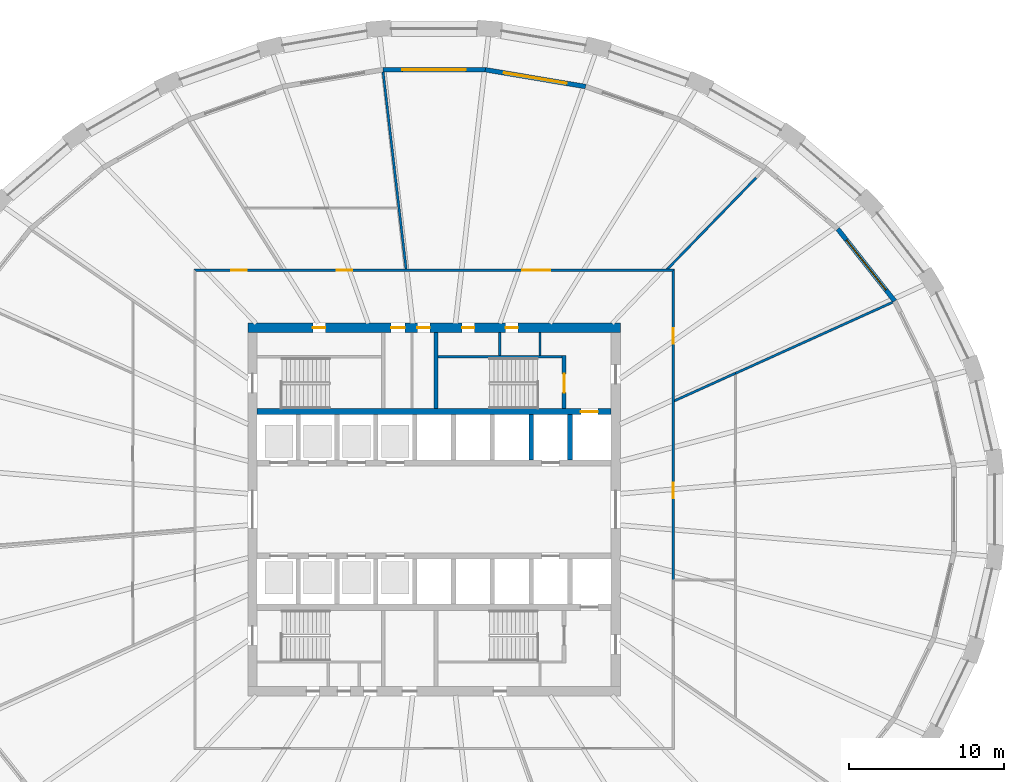
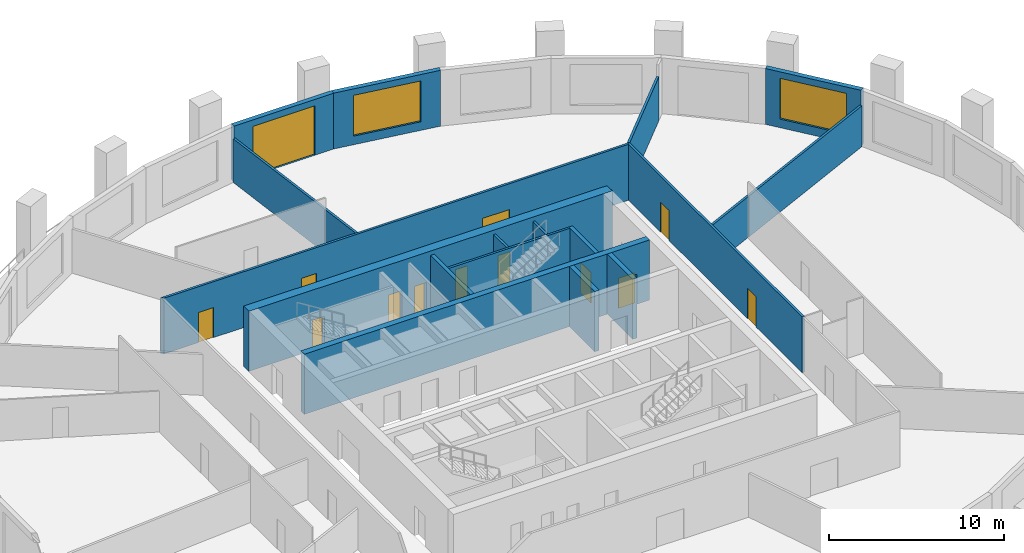
# One storey, part 6 of 10: 18 walls, 13 doors, 2 windows, 15 openings.
"""IFC4 building model written with IfcOpenShell, lengths in metres."""

from ifc_helpers import new_model, si_unit, direction, frame, frame_2d, origin, place, context, subcontext, project, spatial, polyline, rectangle, outline, extrude, material, layer, layer_set, type_object, element, fill, save


model = new_model("IFC4")

# Units and contexts
model_context = context("Model", 3, precision=1e-05, world=origin(), true_north=direction((0.0, 1.0)))
body_context = subcontext(model_context, "Body", "Model", "MODEL_VIEW")
ifc_project = project(units=[si_unit("LENGTHUNIT", "METRE"), si_unit("AREAUNIT", "SQUARE_METRE"), si_unit("VOLUMEUNIT", "CUBIC_METRE"), si_unit("PLANEANGLEUNIT", "RADIAN"), si_unit("MASSUNIT", "GRAM", prefix="KILO")], contexts=[model_context])

# Site, building, storey
site_placement = place(None, origin())
site = spatial("IfcSite", under=ifc_project, at=site_placement, CompositionType="ELEMENT")
building_placement = place(site_placement, origin())
building = spatial("IfcBuilding", under=site, at=building_placement, Name="Halqa Exchange Tower", CompositionType="ELEMENT")
storey_placement = place(building_placement, frame((0.0, 0.0, 90.699951171875)))
storey = spatial("IfcBuildingStorey", under=building, at=storey_placement, Name="L20", CompositionType="ELEMENT", Elevation=90.699951171875)

# Wall, openings, doors
ifc_material_1 = material(Name="Fire-rated gypsum board")
ifc_layer_1 = layer(ifc_material_1, 0.14990234375)
ifc_layer_set_1 = layer_set([ifc_layer_1], Name="Fire-rated gypsum board")
wall_type_1 = type_object("IfcWallType", Name="Fire partition EI 60 150", PredefinedType="PARTITIONING", material=ifc_layer_set_1)
wall_1_placement = place(storey_placement, frame((-15.47509765625, 15.39990234375, 0.0), z_axis=(0.0, 0.0, 1.0), x_axis=(1.0, 0.0, 0.0)))
wall_1 = element("IfcWall", 1, at=wall_1_placement, inside=storey, type_object=wall_type_1, Name="L20-PWL-011", PredefinedType="PARTITIONING", context=body_context, shape_type="SweptSolid", body=[
    extrude(outline(polyline([(0.150146484375, -0.074951171875), (2.065673828125, -0.074951171875), (3.9814453125, -0.074951171875), (5.89697265625, -0.074951171875), (7.8125, -0.074951171875), (9.728271484375, -0.074951171875), (11.643798828125, -0.074951171875), (13.5595703125, -0.074951171875), (15.47509765625, -0.074951171875), (17.390625, -0.074951171875), (19.306396484375, -0.074951171875), (21.221923828125, -0.074951171875), (23.1376953125, -0.074951171875), (25.05322265625, -0.074951171875), (26.96875, -0.074951171875), (28.884521484375, -0.074951171875), (30.800048828125, -0.074951171875), (30.949951171875, 0.074951171875), (29.015625, 0.074951171875), (27.081298828125, 0.074951171875), (25.14697265625, 0.074951171875), (23.21240234375, 0.074951171875), (21.278076171875, 0.074951171875), (19.34375, 0.074951171875), (17.409423828125, 0.074951171875), (15.47509765625, 0.074951171875), (13.540771484375, 0.074951171875), (11.6064453125, 0.074951171875), (9.672119140625, 0.074951171875), (7.73779296875, 0.074951171875), (5.80322265625, 0.074951171875), (3.868896484375, 0.074951171875), (1.9345703125, 0.074951171875), (0.000244140625, 0.074951171875), (0.150146484375, -0.074951171875)])), origin(), (0.0, 0.0, 1.0), 3.900146484375),
])
opening_1_placement = place(wall_1_placement, frame((21.155029296875, 0.0, 0.0)))
opening_1 = element("IfcOpeningElement", 2, at=opening_1_placement, cuts=wall_1, Name="Opening 06-04", PredefinedType="OPENING", context=body_context, shape_type="SweptSolid", body=[
    extrude(rectangle(XDim=1.800048828125, YDim=2.10009765625, at=frame_2d((0.89990234375, 1.050048828125))), frame((0.0, 0.0869140625, 0.0), z_axis=(0.0, -1.0, 0.0), x_axis=(1.0, 0.0, 0.0)), (0.0, 0.0, 1.0), 0.173828125),
])
opening_2_placement = place(wall_1_placement, frame((9.2099609375, 0.0, 0.0)))
opening_2 = element("IfcOpeningElement", 3, at=opening_2_placement, cuts=wall_1, Name="Opening 06-05", PredefinedType="OPENING", context=body_context, shape_type="SweptSolid", body=[
    extrude(rectangle(XDim=1.0, YDim=2.10009765625, at=frame_2d((0.5, 1.050048828125))), frame((0.0, 0.0869140625, 0.0), z_axis=(0.0, -1.0, 0.0), x_axis=(1.0, 0.0, 0.0)), (0.0, 0.0, 1.0), 0.173828125),
])
opening_3_placement = place(wall_1_placement, frame((2.405029296875, 0.0, 0.0)))
opening_3 = element("IfcOpeningElement", 4, at=opening_3_placement, cuts=wall_1, Name="Opening 06-06", PredefinedType="OPENING", context=body_context, shape_type="SweptSolid", body=[
    extrude(rectangle(XDim=1.0, YDim=2.10009765625, at=frame_2d((0.5, 1.050048828125))), frame((0.0, 0.0869140625, 0.0), z_axis=(0.0, -1.0, 0.0), x_axis=(1.0, 0.0, 0.0)), (0.0, 0.0, 1.0), 0.173828125),
])
ifc_material_2 = material(Name="Steel fire door leaf", Category="steel")
door_type_1 = type_object("IfcDoorType", Name="Fire door FD30S 1000 x 2100", OperationType="SINGLE_SWING_LEFT", PredefinedType="DOOR", material=ifc_material_2)
door_1_placement = place(opening_2_placement, origin())
door_1 = element("IfcDoor", 5, at=door_1_placement, inside=storey, type_object=door_type_1, Name="L20-IDR-005", OperationType="SINGLE_SWING_LEFT", OverallHeight=2.10009765625, OverallWidth=1.0, PredefinedType="DOOR", context=body_context, shape_type="SweptSolid", body=[
    extrude(rectangle(XDim=1.0, YDim=2.10009765625, at=frame_2d((0.5, 1.050048828125))), frame((0.0, 0.02490234375, 0.0), z_axis=(0.0, -1.0, 0.0), x_axis=(1.0, 0.0, 0.0)), (0.0, 0.0, 1.0), 0.050048828125),
])
fill(opening_2, door_1)
door_2_placement = place(opening_3_placement, origin())
door_2 = element("IfcDoor", 6, at=door_2_placement, inside=storey, type_object=door_type_1, Name="L20-IDR-006", OperationType="SINGLE_SWING_LEFT", OverallHeight=2.10009765625, OverallWidth=1.0, PredefinedType="DOOR", context=body_context, shape_type="SweptSolid", body=[
    extrude(rectangle(XDim=1.0, YDim=2.10009765625, at=frame_2d((0.5, 1.050048828125))), frame((0.0, 0.02490234375, 0.0), z_axis=(0.0, -1.0, 0.0), x_axis=(1.0, 0.0, 0.0)), (0.0, 0.0, 1.0), 0.050048828125),
])
fill(opening_3, door_2)
door_type_2 = type_object("IfcDoorType", Name="Fire door FD30S double 1800 x 2100", OperationType="DOUBLE_DOOR_SINGLE_SWING", PredefinedType="DOOR", material=ifc_material_2)
door_3_placement = place(opening_1_placement, origin())
door_3 = element("IfcDoor", 7, at=door_3_placement, inside=storey, type_object=door_type_2, Name="L20-IDR-004", OperationType="DOUBLE_DOOR_SINGLE_SWING", OverallHeight=2.10009765625, OverallWidth=1.800048828125, PredefinedType="DOOR", context=body_context, shape_type="SweptSolid", body=[
    extrude(rectangle(XDim=1.800048828125, YDim=2.10009765625, at=frame_2d((0.89990234375, 1.050048828125))), frame((0.0, 0.02490234375, 0.0), z_axis=(0.0, -1.0, 0.0), x_axis=(1.0, 0.0, 0.0)), (0.0, 0.0, 1.0), 0.050048828125),
])
fill(opening_1, door_3)

# Walls
wall_2_placement = place(storey_placement, frame((-3.2841796875, 28.16455078125, 0.0), z_axis=(0.0, 0.0, 1.0), x_axis=(0.116072244208, -0.993240773491, 0.0)))
element("IfcWall", 8, at=wall_2_placement, inside=storey, type_object=wall_type_1, Name="L20-PWL-013", PredefinedType="PARTITIONING", context=body_context, shape_type="SweptSolid", body=[
    extrude(outline(polyline([(0.0, -0.074951171875), (1.7529296875, -0.074951171875), (3.506103515625, -0.074951171875), (5.259033203125, -0.074951171875), (7.011962890625, -0.074951171875), (8.76513671875, -0.074951171875), (8.766357421875, -0.063720703125), (8.86181640625, -0.074951171875), (10.814453125, -0.074951171875), (12.76708984375, -0.074951171875), (12.7841796875, 0.07080078125), (12.7841796875, 0.074951171875), (10.95849609375, 0.074951171875), (9.1328125, 0.074951171875), (7.30712890625, 0.074951171875), (5.4814453125, 0.074951171875), (3.65576171875, 0.074951171875), (1.830078125, 0.074951171875), (0.00439453125, 0.074951171875), (0.0, 0.038330078125), (0.0, -0.074951171875)])), origin(), (0.0, 0.0, 1.0), 3.050048828125),
])
wall_3_placement = place(storey_placement, frame((14.972412109375, 15.423095703125, 0.0), z_axis=(0.0, 0.0, 1.0), x_axis=(0.696854208529, 0.717212808067, 0.0)))
element("IfcWall", 9, at=wall_3_placement, inside=storey, type_object=wall_type_1, Name="L20-PWL-015", PredefinedType="PARTITIONING", context=body_context, shape_type="SweptSolid", body=[
    extrude(outline(polyline([(0.0, 0.074951171875), (0.0, 0.074462890625), (0.145263671875, -0.074951171875), (1.77099609375, -0.074951171875), (3.39697265625, -0.074951171875), (5.022705078125, -0.074951171875), (6.648681640625, -0.074951171875), (8.2744140625, -0.074951171875), (8.2744140625, 0.074951171875), (6.61962890625, 0.074951171875), (4.964599609375, 0.074951171875), (3.309814453125, 0.074951171875), (1.65478515625, 0.074951171875), (0.0, 0.074951171875)])), origin(), (0.0, 0.0, 1.0), 3.080078125),
])

# Wall, openings, doors
wall_4_placement = place(storey_placement, frame((15.39990234375, -4.5400390625, 0.0), z_axis=(0.0, 0.0, 1.0), x_axis=(0.0, 1.0, 0.0)))
wall_4 = element("IfcWall", 10, at=wall_4_placement, inside=storey, type_object=wall_type_1, Name="L20-PWL-019", PredefinedType="PARTITIONING", context=body_context, shape_type="SweptSolid", body=[
    extrude(outline(polyline([(0.0, -0.074951171875), (1.819580078125, -0.074951171875), (3.63916015625, -0.074951171875), (5.45849609375, -0.074951171875), (7.278076171875, -0.074951171875), (9.09765625, -0.074951171875), (10.917236328125, -0.074951171875), (12.73681640625, -0.074951171875), (14.556396484375, -0.074951171875), (16.375732421875, -0.074951171875), (18.1953125, -0.074951171875), (20.014892578125, -0.074951171875), (19.864990234375, 0.074951171875), (17.87841796875, 0.074951171875), (15.89208984375, 0.074951171875), (13.905517578125, 0.074951171875), (11.9189453125, 0.074951171875), (9.9326171875, 0.074951171875), (7.946044921875, 0.074951171875), (5.95947265625, 0.074951171875), (3.972900390625, 0.074951171875), (1.986572265625, 0.074951171875), (0.0, 0.074951171875), (0.0, -0.074951171875)])), origin(), (0.0, 0.0, 1.0), 3.900146484375),
])
opening_4_placement = place(wall_4_placement, frame((5.25, 0.0, 0.0)))
opening_4 = element("IfcOpeningElement", 11, at=opening_4_placement, cuts=wall_4, Name="Opening 06-02", PredefinedType="OPENING", context=body_context, shape_type="SweptSolid", body=[
    extrude(rectangle(XDim=1.0, YDim=2.10009765625, at=frame_2d((0.5, 1.050048828125))), frame((0.0, 0.0869140625, 0.0), z_axis=(0.0, -1.0, 0.0), x_axis=(1.0, 0.0, 0.0)), (0.0, 0.0, 1.0), 0.173828125),
])
opening_5_placement = place(wall_4_placement, frame((15.219970703125, 0.0, 0.0)))
opening_5 = element("IfcOpeningElement", 12, at=opening_5_placement, cuts=wall_4, Name="Opening 06-03", PredefinedType="OPENING", context=body_context, shape_type="SweptSolid", body=[
    extrude(rectangle(XDim=1.0, YDim=2.10009765625, at=frame_2d((0.5, 1.050048828125))), frame((0.0, 0.0869140625, 0.0), z_axis=(0.0, -1.0, 0.0), x_axis=(1.0, 0.0, 0.0)), (0.0, 0.0, 1.0), 0.173828125),
])
door_4_placement = place(opening_4_placement, frame((1.0, 0.0, 0.0), z_axis=(0.0, 0.0, 1.0), x_axis=(-1.0, 0.0, 0.0)))
door_4 = element("IfcDoor", 13, at=door_4_placement, inside=storey, type_object=door_type_1, Name="L20-IDR-002", OperationType="SINGLE_SWING_LEFT", OverallHeight=2.10009765625, OverallWidth=1.0, PredefinedType="DOOR", context=body_context, shape_type="SweptSolid", body=[
    extrude(rectangle(XDim=1.0, YDim=2.10009765625, at=frame_2d((0.5, 1.050048828125))), frame((0.0, 0.02490234375, 0.0), z_axis=(0.0, -1.0, 0.0), x_axis=(1.0, 0.0, 0.0)), (0.0, 0.0, 1.0), 0.050048828125),
])
fill(opening_4, door_4)
door_5_placement = place(opening_5_placement, frame((1.0, 0.0, 0.0), z_axis=(0.0, 0.0, 1.0), x_axis=(-1.0, 0.0, 0.0)))
door_5 = element("IfcDoor", 14, at=door_5_placement, inside=storey, type_object=door_type_1, Name="L20-IDR-003", OperationType="SINGLE_SWING_LEFT", OverallHeight=2.10009765625, OverallWidth=1.0, PredefinedType="DOOR", context=body_context, shape_type="SweptSolid", body=[
    extrude(rectangle(XDim=1.0, YDim=2.10009765625, at=frame_2d((0.5, 1.050048828125))), frame((0.0, 0.02490234375, 0.0), z_axis=(0.0, -1.0, 0.0), x_axis=(1.0, 0.0, 0.0)), (0.0, 0.0, 1.0), 0.050048828125),
])
fill(opening_5, door_5)

# Walls
wall_5_placement = place(storey_placement, frame((15.444091796875, 6.97998046875, 0.0), z_axis=(0.0, 0.0, 1.0), x_axis=(0.911064178848, 0.412264553436, 0.0)))
element("IfcWall", 15, at=wall_5_placement, inside=storey, type_object=wall_type_1, Name="L20-PWL-021", PredefinedType="PARTITIONING", context=body_context, shape_type="SweptSolid", body=[
    extrude(outline(polyline([(0.0, -0.074951171875), (1.417724609375, -0.074951171875), (2.83544921875, -0.074951171875), (4.253173828125, -0.074951171875), (4.254150390625, -0.07275390625), (4.259033203125, -0.074951171875), (4.342041015625, -0.074951171875), (4.342041015625, 0.074951171875), (2.917236328125, 0.074951171875), (1.49267578125, 0.074951171875), (0.06787109375, 0.074951171875), (0.0, -0.074951171875)])), origin(), (0.0, 0.0, 1.0), 2.85009765625),
])
wall_6_placement = place(storey_placement, frame((19.404052734375, 8.761962890625, 0.0), z_axis=(0.0, 0.0, 1.0), x_axis=(0.911089862884, 0.41220778953, 0.0)))
element("IfcWall", 16, at=wall_6_placement, inside=storey, type_object=wall_type_1, Name="L20-PWL-023", PredefinedType="PARTITIONING", context=body_context, shape_type="SweptSolid", body=[
    extrude(outline(polyline([(11.12060546875, -0.074951171875), (11.12060546875, -0.0673828125), (11.11865234375, -0.00244140625), (11.099365234375, 0.074951171875), (9.24951171875, 0.074951171875), (7.399658203125, 0.074951171875), (5.549560546875, 0.074951171875), (3.69970703125, 0.074951171875), (1.849853515625, 0.074951171875), (0.0, 0.074951171875), (0.0, -0.068115234375), (0.015380859375, -0.074951171875), (1.8662109375, -0.074951171875), (3.717041015625, -0.074951171875), (5.56787109375, -0.074951171875), (7.4189453125, -0.074951171875), (9.269775390625, -0.074951171875), (11.12060546875, -0.074951171875)])), origin(), (0.0, 0.0, 1.0), 2.85009765625),
])
ifc_material_3 = material(Name="Gypsum board")
ifc_layer_2 = layer(ifc_material_3, 0.14990234375)
ifc_layer_set_2 = layer_set([ifc_layer_2], Name="Gypsum board")
wall_type_2 = type_object("IfcWallType", Name="Penthouse riser wall 150 gypsum", PredefinedType="PARTITIONING", material=ifc_layer_set_2)
for number, where, z_axis, x_axis, name in (
    (17, (4.22509765625, 9.89990234375, 0.0), (0.0, 0.0, 1.0), (0.0, 1.0, 0.0), "Partition E4.225 N"),
    (18, (6.824951171875, 9.89990234375, 0.0), (0.0, 0.0, 1.0), (0.0, 1.0, 0.0), "Firefighting lobby west wall N"),
):
    element("IfcWall", number, at=place(storey_placement, frame(where, z_axis=z_axis, x_axis=x_axis)), inside=storey, type_object=wall_type_2, Name=name, PredefinedType="PARTITIONING", context=body_context, shape_type="SweptSolid", body=[
        extrude(rectangle(XDim=1.5, YDim=0.14990234375, at=frame_2d((0.75, 0.0))), origin(), (0.0, 0.0, 1.0), 3.900146484375),
    ])
ifc_material_4 = material(Name="Concrete C60/75", Category="concrete")
ifc_layer_3 = layer(ifc_material_4, 0.300048828125)
ifc_layer_set_3 = layer_set([ifc_layer_3], Name="Concrete C60/75")
wall_type_3 = type_object("IfcWallType", Name="RC core wall 300", PredefinedType="SHEAR", material=ifc_layer_set_3)
for number, where, z_axis, x_axis, name in (
    (19, (6.25, 3.199951171875, 0.0), (0.0, 0.0, 1.0), (0.0, 1.0, 0.0), "Shaft divider N7"),
    (20, (8.75, 3.199951171875, 0.0), (0.0, 0.0, 1.0), (0.0, 1.0, 0.0), "Shaft divider N8"),
):
    element("IfcWall", number, at=place(storey_placement, frame(where, z_axis=z_axis, x_axis=x_axis)), inside=storey, type_object=wall_type_3, Name=name, PredefinedType="SHEAR", context=body_context, shape_type="SweptSolid", body=[
        extrude(rectangle(XDim=2.900146484375, YDim=0.300048828125, at=frame_2d((1.4501953125, 0.0))), origin(), (0.0, 0.0, 1.0), 4.199951171875),
    ])

# Wall, opening, door
ifc_material_5 = material(Name="Concrete C80/95", Category="concrete")
ifc_layer_4 = layer(ifc_material_5, 0.39990234375)
ifc_layer_set_4 = layer_set([ifc_layer_4], Name="Concrete C80/95")
wall_type_4 = type_object("IfcWallType", Name="RC core wall 400 C80/95", PredefinedType="SHEAR", material=ifc_layer_set_4)
wall_7_placement = place(storey_placement, frame((-11.39990234375, 6.300048828125, 0.0), z_axis=(0.0, 0.0, 1.0), x_axis=(1.0, 0.0, 0.0)))
wall_7 = element("IfcWall", 21, at=wall_7_placement, inside=storey, type_object=wall_type_4, Name="Lift row back wall N", PredefinedType="SHEAR", context=body_context, shape_type="SweptSolid", body=[
    extrude(rectangle(XDim=22.7998046875, YDim=0.39990234375, at=frame_2d((11.39990234375, 0.0))), origin(), (0.0, 0.0, 1.0), 4.199951171875),
])
opening_6_placement = place(wall_7_placement, frame((20.85009765625, 0.0, 0.0)))
opening_6 = element("IfcOpeningElement", 22, at=opening_6_placement, cuts=wall_7, Name="Opening LD-FF1-T06", PredefinedType="OPENING", context=body_context, shape_type="SweptSolid", body=[
    extrude(rectangle(XDim=1.10009765625, YDim=2.10009765625, at=frame_2d((0.550048828125, 1.050048828125))), frame((0.0, 0.2119140625, 0.0), z_axis=(0.0, -1.0, 0.0), x_axis=(1.0, 0.0, 0.0)), (0.0, 0.0, 1.0), 0.423828125),
])
ifc_material_6 = material(Name="Stainless steel", Category="steel")
door_type_3 = type_object("IfcDoorType", Name="Lift landing door 1100 x 2100", OperationType="SLIDING_TO_LEFT", PredefinedType="DOOR", material=ifc_material_6)
door_6_placement = place(opening_6_placement, origin())
door_6 = element("IfcDoor", 23, at=door_6_placement, inside=storey, type_object=door_type_3, Name="Lift landing door FF1", OperationType="SLIDING_TO_LEFT", OverallHeight=2.10009765625, OverallWidth=1.10009765625, PredefinedType="DOOR", context=body_context, shape_type="SweptSolid", body=[
    extrude(rectangle(XDim=1.10009765625, YDim=2.10009765625, at=frame_2d((0.550048828125, 1.050048828125))), frame((0.0, 0.02490234375, 0.0), z_axis=(0.0, -1.0, 0.0), x_axis=(1.0, 0.0, 0.0)), (0.0, 0.0, 1.0), 0.050048828125),
])
fill(opening_6, door_6)

# Wall, openings, doors
ifc_layer_5 = layer(ifc_material_5, 0.60009765625)
ifc_layer_set_5 = layer_set([ifc_layer_5], Name="Concrete C80/95")
wall_type_5 = type_object("IfcWallType", Name="RC core wall 600 C80/95", PredefinedType="SHEAR", material=ifc_layer_set_5)
wall_8_placement = place(storey_placement, frame((-12.0, 11.699951171875, 0.0), z_axis=(0.0, 0.0, 1.0), x_axis=(1.0, 0.0, 0.0)))
wall_8 = element("IfcWall", 24, at=wall_8_placement, inside=storey, type_object=wall_type_5, Name="Core wall north", PredefinedType="SHEAR", context=body_context, shape_type="SweptSolid", body=[
    extrude(rectangle(XDim=24.0, YDim=0.60009765625, at=frame_2d((12.0, 0.0))), origin(), (0.0, 0.0, 1.0), 4.199951171875),
])
opening_7_placement = place(wall_8_placement, frame((9.22509765625, 0.0, 0.0)))
opening_7 = element("IfcOpeningElement", 25, at=opening_7_placement, cuts=wall_8, Name="Opening T06-C21", PredefinedType="OPENING", context=body_context, shape_type="SweptSolid", body=[
    extrude(rectangle(XDim=0.89990234375, YDim=2.10009765625, at=frame_2d((0.449951171875, 1.050048828125))), frame((0.0, 0.31201171875, 0.0), z_axis=(0.0, -1.0, 0.0), x_axis=(1.0, 0.0, 0.0)), (0.0, 0.0, 1.0), 0.6240234375),
])
opening_8_placement = place(wall_8_placement, frame((10.925048828125, 0.0, 0.0)))
opening_8 = element("IfcOpeningElement", 26, at=opening_8_placement, cuts=wall_8, Name="Opening T06-C22", PredefinedType="OPENING", context=body_context, shape_type="SweptSolid", body=[
    extrude(rectangle(XDim=0.800048828125, YDim=2.10009765625, at=frame_2d((0.39990234375, 1.050048828125))), frame((0.0, 0.31201171875, 0.0), z_axis=(0.0, -1.0, 0.0), x_axis=(1.0, 0.0, 0.0)), (0.0, 0.0, 1.0), 0.6240234375),
])
opening_9_placement = place(wall_8_placement, frame((4.199951171875, 0.0, 0.0)))
opening_9 = element("IfcOpeningElement", 27, at=opening_9_placement, cuts=wall_8, Name="Opening T06-C23", PredefinedType="OPENING", context=body_context, shape_type="SweptSolid", body=[
    extrude(rectangle(XDim=0.800048828125, YDim=2.10009765625, at=frame_2d((0.39990234375, 1.050048828125))), frame((0.0, 0.31201171875, 0.0), z_axis=(0.0, -1.0, 0.0), x_axis=(1.0, 0.0, 0.0)), (0.0, 0.0, 1.0), 0.6240234375),
])
opening_10_placement = place(wall_8_placement, frame((13.800048828125, 0.0, 0.0)))
opening_10 = element("IfcOpeningElement", 28, at=opening_10_placement, cuts=wall_8, Name="Opening T06-C24", PredefinedType="OPENING", context=body_context, shape_type="SweptSolid", body=[
    extrude(rectangle(XDim=0.800048828125, YDim=2.10009765625, at=frame_2d((0.39990234375, 1.050048828125))), frame((0.0, 0.31201171875, 0.0), z_axis=(0.0, -1.0, 0.0), x_axis=(1.0, 0.0, 0.0)), (0.0, 0.0, 1.0), 0.6240234375),
])
opening_11_placement = place(wall_8_placement, frame((16.60009765625, 0.0, 0.0)))
opening_11 = element("IfcOpeningElement", 29, at=opening_11_placement, cuts=wall_8, Name="Opening T06-C25", PredefinedType="OPENING", context=body_context, shape_type="SweptSolid", body=[
    extrude(rectangle(XDim=0.800048828125, YDim=2.10009765625, at=frame_2d((0.39990234375, 1.050048828125))), frame((0.0, 0.31201171875, 0.0), z_axis=(0.0, -1.0, 0.0), x_axis=(1.0, 0.0, 0.0)), (0.0, 0.0, 1.0), 0.6240234375),
])
ifc_material_7 = material(Name="Timber fire door leaf", Category="wood")
door_type_4 = type_object("IfcDoorType", Name="Core room door FD30 900 x 2100", OperationType="SINGLE_SWING_LEFT", PredefinedType="DOOR", material=ifc_material_7)
door_7_placement = place(opening_7_placement, frame((0.89990234375, 0.0, 0.0), z_axis=(0.0, 0.0, 1.0), x_axis=(-1.0, 0.0, 0.0)))
door_7 = element("IfcDoor", 30, at=door_7_placement, inside=storey, type_object=door_type_4, Name="Core room door", OperationType="SINGLE_SWING_LEFT", OverallHeight=2.10009765625, OverallWidth=0.89990234375, PredefinedType="DOOR", context=body_context, shape_type="SweptSolid", body=[
    extrude(rectangle(XDim=0.89990234375, YDim=2.10009765625, at=frame_2d((0.449951171875, 1.050048828125))), frame((0.0, 0.02490234375, 0.0), z_axis=(0.0, -1.0, 0.0), x_axis=(1.0, 0.0, 0.0)), (0.0, 0.0, 1.0), 0.050048828125),
])
fill(opening_7, door_7)
door_type_5 = type_object("IfcDoorType", Name="Riser door FD60 800 x 2100", OperationType="SINGLE_SWING_LEFT", PredefinedType="DOOR", material=ifc_material_2)
door_8_placement = place(opening_8_placement, frame((0.800048828125, 0.0, 0.0), z_axis=(0.0, 0.0, 1.0), x_axis=(-1.0, 0.0, 0.0)))
door_8 = element("IfcDoor", 31, at=door_8_placement, inside=storey, type_object=door_type_5, Name="Core room door", OperationType="SINGLE_SWING_LEFT", OverallHeight=2.10009765625, OverallWidth=0.800048828125, PredefinedType="DOOR", context=body_context, shape_type="SweptSolid", body=[
    extrude(rectangle(XDim=0.800048828125, YDim=2.10009765625, at=frame_2d((0.39990234375, 1.050048828125))), frame((0.0, 0.02490234375, 0.0), z_axis=(0.0, -1.0, 0.0), x_axis=(1.0, 0.0, 0.0)), (0.0, 0.0, 1.0), 0.050048828125),
])
fill(opening_8, door_8)
door_9_placement = place(opening_9_placement, frame((0.800048828125, 0.0, 0.0), z_axis=(0.0, 0.0, 1.0), x_axis=(-1.0, 0.0, 0.0)))
door_9 = element("IfcDoor", 32, at=door_9_placement, inside=storey, type_object=door_type_5, Name="Core room door", OperationType="SINGLE_SWING_LEFT", OverallHeight=2.10009765625, OverallWidth=0.800048828125, PredefinedType="DOOR", context=body_context, shape_type="SweptSolid", body=[
    extrude(rectangle(XDim=0.800048828125, YDim=2.10009765625, at=frame_2d((0.39990234375, 1.050048828125))), frame((0.0, 0.02490234375, 0.0), z_axis=(0.0, -1.0, 0.0), x_axis=(1.0, 0.0, 0.0)), (0.0, 0.0, 1.0), 0.050048828125),
])
fill(opening_9, door_9)
door_10_placement = place(opening_10_placement, frame((0.800048828125, 0.0, 0.0), z_axis=(0.0, 0.0, 1.0), x_axis=(-1.0, 0.0, 0.0)))
door_10 = element("IfcDoor", 33, at=door_10_placement, inside=storey, type_object=door_type_5, Name="Core room door", OperationType="SINGLE_SWING_RIGHT", OverallHeight=2.10009765625, OverallWidth=0.800048828125, PredefinedType="DOOR", context=body_context, shape_type="SweptSolid", body=[
    extrude(rectangle(XDim=0.800048828125, YDim=2.10009765625, at=frame_2d((0.39990234375, 1.050048828125))), frame((0.0, 0.02490234375, 0.0), z_axis=(0.0, -1.0, 0.0), x_axis=(1.0, 0.0, 0.0)), (0.0, 0.0, 1.0), 0.050048828125),
])
fill(opening_10, door_10)
door_11_placement = place(opening_11_placement, frame((0.800048828125, 0.0, 0.0), z_axis=(0.0, 0.0, 1.0), x_axis=(-1.0, 0.0, 0.0)))
door_11 = element("IfcDoor", 34, at=door_11_placement, inside=storey, type_object=door_type_5, Name="Core room door", OperationType="SINGLE_SWING_LEFT", OverallHeight=2.10009765625, OverallWidth=0.800048828125, PredefinedType="DOOR", context=body_context, shape_type="SweptSolid", body=[
    extrude(rectangle(XDim=0.800048828125, YDim=2.10009765625, at=frame_2d((0.39990234375, 1.050048828125))), frame((0.0, 0.02490234375, 0.0), z_axis=(0.0, -1.0, 0.0), x_axis=(1.0, 0.0, 0.0)), (0.0, 0.0, 1.0), 0.050048828125),
])
fill(opening_11, door_11)

# Walls
ifc_material_8 = material(Name="Concrete C30/37", Category="concrete")
ifc_layer_6 = layer(ifc_material_8, 0.14990234375)
ifc_layer_set_6 = layer_set([ifc_layer_6], Name="Concrete C30/37")
wall_type_6 = type_object("IfcWallType", Name="RC stair wall 150 C30/37", PredefinedType="SHEAR", material=ifc_layer_set_6)
wall_9_placement = place(storey_placement, frame((0.25, 9.824951171875, 0.0), z_axis=(0.0, 0.0, 1.0), x_axis=(1.0, 0.0, 0.0)))
element("IfcWall", 35, at=wall_9_placement, inside=storey, type_object=wall_type_6, Name="Stair ST2 north wall N", PredefinedType="SHEAR", context=body_context, shape_type="SweptSolid", body=[
    extrude(rectangle(XDim=8.0, YDim=0.14990234375, at=frame_2d((4.0, 0.0))), origin(), (0.0, 0.0, 1.0), 3.900146484375),
])
ifc_layer_7 = layer(ifc_material_8, 0.25)
ifc_layer_set_7 = layer_set([ifc_layer_7], Name="Concrete C30/37")
wall_type_7 = type_object("IfcWallType", Name="RC stair wall 250 C30/37", PredefinedType="SHEAR", material=ifc_layer_set_7)
wall_10_placement = place(storey_placement, frame((0.125, 6.5, 0.0), z_axis=(0.0, 0.0, 1.0), x_axis=(0.0, 1.0, 0.0)))
element("IfcWall", 36, at=wall_10_placement, inside=storey, type_object=wall_type_7, Name="Stair ST2 west wall N", PredefinedType="SHEAR", context=body_context, shape_type="SweptSolid", body=[
    extrude(rectangle(XDim=4.89990234375, YDim=0.25, at=frame_2d((2.449951171875, 0.0))), origin(), (0.0, 0.0, 1.0), 3.900146484375),
])

# Wall, opening, door
wall_11_placement = place(storey_placement, frame((8.375, 6.5, 0.0), z_axis=(0.0, 0.0, 1.0), x_axis=(0.0, 1.0, 0.0)))
wall_11 = element("IfcWall", 37, at=wall_11_placement, inside=storey, type_object=wall_type_7, Name="Stair ST2 east wall N", PredefinedType="SHEAR", context=body_context, shape_type="SweptSolid", body=[
    extrude(rectangle(XDim=3.39990234375, YDim=0.25, at=frame_2d((1.699951171875, 0.0))), origin(), (0.0, 0.0, 1.0), 3.900146484375),
])
opening_12_placement = place(wall_11_placement, frame((1.02490234375, 0.0, 0.0)))
opening_12 = element("IfcOpeningElement", 38, at=opening_12_placement, cuts=wall_11, Name="Opening T06-C16", PredefinedType="OPENING", context=body_context, shape_type="SweptSolid", body=[
    extrude(rectangle(XDim=1.199951171875, YDim=2.10009765625, at=frame_2d((0.60009765625, 1.050048828125))), frame((0.0, 0.136962890625, 0.0), z_axis=(0.0, -1.0, 0.0), x_axis=(1.0, 0.0, 0.0)), (0.0, 0.0, 1.0), 0.27392578125),
])
door_type_6 = type_object("IfcDoorType", Name="Stair door FD90 1200 x 2100", OperationType="SINGLE_SWING_LEFT", PredefinedType="DOOR", material=ifc_material_2)
door_12_placement = place(opening_12_placement, origin())
door_12 = element("IfcDoor", 39, at=door_12_placement, inside=storey, type_object=door_type_6, Name="Stair door ST2", OperationType="SINGLE_SWING_RIGHT", OverallHeight=2.10009765625, OverallWidth=1.199951171875, PredefinedType="DOOR", context=body_context, shape_type="SweptSolid", body=[
    extrude(rectangle(XDim=1.199951171875, YDim=2.10009765625, at=frame_2d((0.60009765625, 1.050048828125))), frame((0.0, 0.02490234375, 0.0), z_axis=(0.0, -1.0, 0.0), x_axis=(1.0, 0.0, 0.0)), (0.0, 0.0, 1.0), 0.050048828125),
])
fill(opening_12, door_12)

# Wall, opening, window
ifc_material_9 = material(Name="Limestone cladding", Category="masonry")
ifc_layer_8 = layer(ifc_material_9, 0.0400390625)
ifc_material_10 = material(Name="Ventilated cavity")
ifc_layer_9 = layer(ifc_material_10, 0.030029296875, ventilated=True)
ifc_material_11 = material(Name="Mineral wool insulation")
ifc_layer_10 = layer(ifc_material_11, 0.10009765625)
ifc_layer_11 = layer(ifc_material_8, 0.10009765625)
ifc_material_12 = material(Name="Internal plaster")
ifc_layer_12 = layer(ifc_material_12, 0.030029296875)
ifc_layer_set_8 = layer_set([ifc_layer_8, ifc_layer_9, ifc_layer_10, ifc_layer_11, ifc_layer_12], Name="Stone-faced insulated wall 300")
wall_type_8 = type_object("IfcWallType", Name="Stone-faced insulated wall 300", PredefinedType="STANDARD", material=ifc_layer_set_8)
wall_12_placement = place(storey_placement, frame((29.66259765625, 13.42333984375, 0.0), z_axis=(0.0, 0.0, 1.0), x_axis=(-0.620142219764, 0.784489405452, 0.0)))
wall_12 = element("IfcWall", 40, at=wall_12_placement, inside=storey, type_object=wall_type_8, Name="Glass-line wall 3", PredefinedType="STANDARD", context=body_context, shape_type="SweptSolid", body=[
    extrude(outline(polyline([(-0.01611328125, -0.14990234375), (5.927490234375, -0.14990234375), (5.897216796875, 0.14990234375), (0.01611328125, 0.14990234375), (-0.01611328125, -0.14990234375)])), origin(), (0.0, 0.0, 1.0), 3.900146484375),
])
opening_13_placement = place(wall_12_placement, frame((0.90625, 0.0, 0.60009765625)))
opening_13 = element("IfcOpeningElement", 41, at=opening_13_placement, cuts=wall_12, Name="Opening W-F1-03", PredefinedType="OPENING", context=body_context, shape_type="SweptSolid", body=[
    extrude(rectangle(XDim=4.10009765625, YDim=2.85009765625, at=frame_2d((2.050048828125, 1.425048828125))), frame((0.0, 0.162109375, 0.0), z_axis=(0.0, -1.0, 0.0), x_axis=(1.0, 0.0, 0.0)), (0.0, 0.0, 1.0), 0.323974609375),
])
ifc_material_13 = material(Name="Clear low-emissivity glass in aluminium frame", Category="aluminium")
window_type = type_object("IfcWindowType", Name="Fixed clear glazed window 4100 x 2850", PartitioningType="TRIPLE_PANEL_VERTICAL", PredefinedType="WINDOW", material=ifc_material_13)
window_1_placement = place(opening_13_placement, origin())
window_1 = element("IfcWindow", 42, at=window_1_placement, inside=storey, type_object=window_type, Name="Window 1", OverallHeight=2.85009765625, OverallWidth=4.10009765625, PartitioningType="TRIPLE_PANEL_VERTICAL", PredefinedType="WINDOW", context=body_context, shape_type="SweptSolid", body=[
    extrude(rectangle(XDim=4.10009765625, YDim=2.85009765625, at=frame_2d((2.050048828125, 1.425048828125))), frame((0.0, 0.030029296875, 0.0), z_axis=(0.0, -1.0, 0.0), x_axis=(1.0, 0.0, 0.0)), (0.0, 0.0, 1.0), 0.06005859375),
])
fill(opening_13, window_1)

wall_13_placement = place(storey_placement, frame((9.759033203125, 27.232421875, 0.0), z_axis=(0.0, 0.0, 1.0), x_axis=(-0.986162431544, 0.165781961053, 0.0)))
wall_13 = element("IfcWall", 43, at=wall_13_placement, inside=storey, type_object=wall_type_8, Name="Glass-line wall 7", PredefinedType="STANDARD", context=body_context, shape_type="SweptSolid", body=[
    extrude(outline(polyline([(-0.0126953125, -0.14990234375), (6.5673828125, -0.14990234375), (6.54248046875, 0.14990234375), (0.0126953125, 0.14990234375), (-0.0126953125, -0.14990234375)])), origin(), (0.0, 0.0, 1.0), 3.900146484375),
])
opening_14_placement = place(wall_13_placement, frame((1.227294921875, 0.0, 0.60009765625)))
opening_14 = element("IfcOpeningElement", 44, at=opening_14_placement, cuts=wall_13, Name="Opening W-F1-07", PredefinedType="OPENING", context=body_context, shape_type="SweptSolid", body=[
    extrude(rectangle(XDim=4.10009765625, YDim=2.85009765625, at=frame_2d((2.050048828125, 1.425048828125))), frame((0.0, 0.162109375, 0.0), z_axis=(0.0, -1.0, 0.0), x_axis=(1.0, 0.0, 0.0)), (0.0, 0.0, 1.0), 0.323974609375),
])
window_2_placement = place(opening_14_placement, origin())
window_2 = element("IfcWindow", 45, at=window_2_placement, inside=storey, type_object=window_type, Name="Window 1", OverallHeight=2.85009765625, OverallWidth=4.10009765625, PartitioningType="TRIPLE_PANEL_VERTICAL", PredefinedType="WINDOW", context=body_context, shape_type="SweptSolid", body=[
    extrude(rectangle(XDim=4.10009765625, YDim=2.85009765625, at=frame_2d((2.050048828125, 1.425048828125))), frame((0.0, 0.030029296875, 0.0), z_axis=(0.0, -1.0, 0.0), x_axis=(1.0, 0.0, 0.0)), (0.0, 0.0, 1.0), 0.06005859375),
])
fill(opening_14, window_2)

# Wall, opening, door
wall_14_placement = place(storey_placement, frame((3.294921875, 28.319091796875, 0.0), z_axis=(0.0, 0.0, 1.0), x_axis=(-1.0, 0.0, 0.0)))
wall_14 = element("IfcWall", 46, at=wall_14_placement, inside=storey, type_object=wall_type_8, Name="Glass-line wall 8", PredefinedType="STANDARD", context=body_context, shape_type="SweptSolid", body=[
    extrude(outline(polyline([(-0.012451171875, -0.14990234375), (6.602294921875, -0.14990234375), (6.577392578125, 0.14990234375), (0.012451171875, 0.14990234375), (-0.012451171875, -0.14990234375)])), origin(), (0.0, 0.0, 1.0), 3.900146484375),
])
opening_15_placement = place(wall_14_placement, frame((1.2451171875, 0.0, 0.0)))
opening_15 = element("IfcOpeningElement", 47, at=opening_15_placement, cuts=wall_14, Name="Opening LG-F1-02", PredefinedType="OPENING", context=body_context, shape_type="SweptSolid", body=[
    extrude(rectangle(XDim=4.10009765625, YDim=3.449951171875, at=frame_2d((2.050048828125, 1.72509765625))), frame((0.0, 0.162109375, 0.0), z_axis=(0.0, -1.0, 0.0), x_axis=(1.0, 0.0, 0.0)), (0.0, 0.0, 1.0), 0.323974609375),
])
door_type_7 = type_object("IfcDoorType", Name="Glazed sliding loggia door 4100 x 3450", OperationType="DOUBLE_DOOR_SLIDING", PredefinedType="DOOR", material=ifc_material_13)
door_13_placement = place(opening_15_placement, origin())
door_13 = element("IfcDoor", 48, at=door_13_placement, inside=storey, type_object=door_type_7, Name="Loggia door 2", OperationType="DOUBLE_DOOR_SLIDING", OverallHeight=3.449951171875, OverallWidth=4.10009765625, PredefinedType="DOOR", context=body_context, shape_type="SweptSolid", body=[
    extrude(rectangle(XDim=4.10009765625, YDim=3.449951171875, at=frame_2d((2.050048828125, 1.72509765625))), frame((0.0, 0.02490234375, 0.0), z_axis=(0.0, -1.0, 0.0), x_axis=(1.0, 0.0, 0.0)), (0.0, 0.0, 1.0), 0.050048828125),
])
fill(opening_15, door_13)

save(model, "model.ifc")
